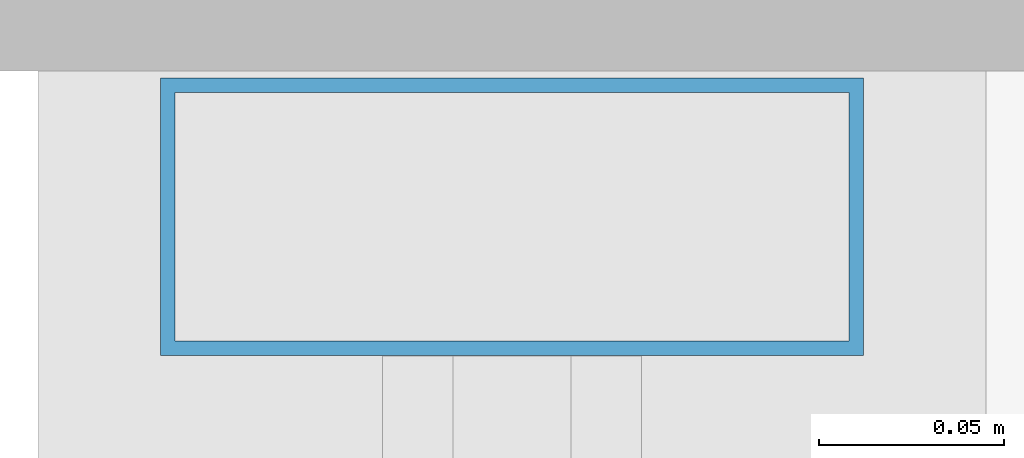
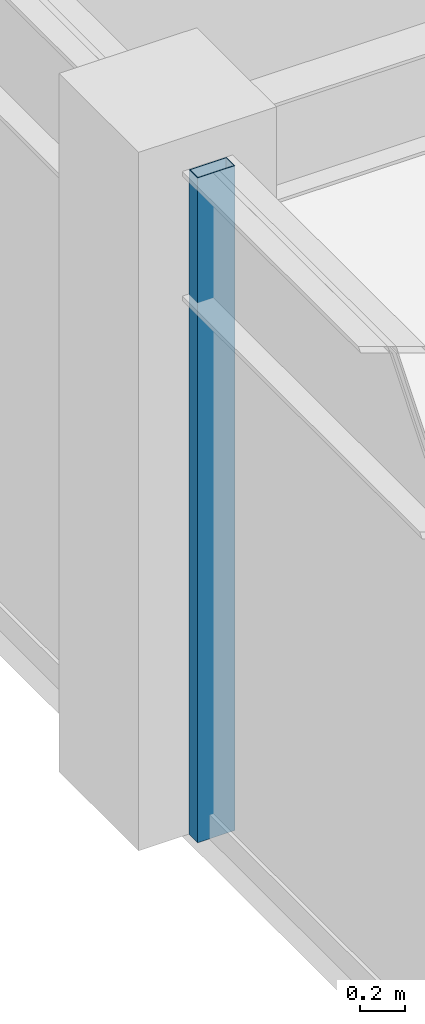
# One storey, part 8 of 31: 1 member, 1 element without a shape of its own.
"""IFC4 building model written with IfcOpenShell, lengths in metres."""

import ifcopenshell
import ifcopenshell.guid

model = None  # the IFC model being written
_history = None  # IfcOwnerHistory: only IFC2X3 demands one
_inside = {}  # id of a spatial element -> (the spatial element, [elements in it])
_under = {}  # id of a project, library or spatial element -> (it, [spatial elements below it])
_declared = {}  # id of a project -> (the project, [libraries it declares])
_typed = {}  # id of a type object -> (the type object, [elements of that type])
_made_of = {}  # id of a material, layer set ... -> (it, [elements and type objects made of it])


def new_model(schema):
    """Start an empty IFC model of exactly this schema.

    Asked for "IFC4X3", IfcOpenShell would pick the latest addendum, in which some entities
    have other attributes; the version numbers below select the first issue.
    IFC2X3 requires an IfcOwnerHistory on every rooted entity: one is made here for all.
    """
    global model, _history
    if schema == "IFC4X3":
        model = ifcopenshell.file(schema_version=(4, 3, 0, 0))
    else:
        model = ifcopenshell.file(schema=schema)
    _inside.clear()
    _under.clear()
    _declared.clear()
    _typed.clear()
    _made_of.clear()
    _history = None
    if model.schema == "IFC2X3":
        org = make("IfcOrganization", Name="unknown")
        user = make(
            "IfcPersonAndOrganization",
            ThePerson=make("IfcPerson", FamilyName="unknown"),
            TheOrganization=org,
        )
        app = make(
            "IfcApplication",
            ApplicationDeveloper=org,
            Version="unknown",
            ApplicationFullName="unknown",
            ApplicationIdentifier="unknown",
        )
        _history = make(
            "IfcOwnerHistory",
            OwningUser=user,
            OwningApplication=app,
            ChangeAction="ADDED",
            CreationDate=0,
        )
    return model


def make(cls, **values):
    """One entity of the class cls with the attributes given. An attribute that is None is left unset."""
    return model.create_entity(
        cls, **{name: value for name, value in values.items() if value is not None}
    )


def rooted(cls, **values):
    """An entity with a GlobalId (a new one), such as an element, a storey or a relation."""
    return make(cls, GlobalId=ifcopenshell.guid.new(), OwnerHistory=_history, **values)


def si_unit(unit_type, name, prefix=None):
    """IfcSIUnit, for example si_unit("LENGTHUNIT", "METRE", prefix="MILLI")."""
    return make("IfcSIUnit", UnitType=unit_type, Prefix=prefix, Name=name)


def assignment(units):
    """IfcUnitAssignment: the units of a project."""
    return None if units is None else make("IfcUnitAssignment", Units=units)


def point(xyz):
    """IfcCartesianPoint."""
    return None if xyz is None else make("IfcCartesianPoint", Coordinates=xyz)


def direction(xyz):
    """IfcDirection."""
    return None if xyz is None else make("IfcDirection", DirectionRatios=xyz)


def frame(location, z_axis=None, x_axis=None):
    """IfcAxis2Placement3D, a coordinate frame: its origin and axes. An axis left out is left unset."""
    return make(
        "IfcAxis2Placement3D",
        Location=point(location),
        Axis=direction(z_axis),
        RefDirection=direction(x_axis),
    )


def frame_2d(location, x_axis=None):
    """IfcAxis2Placement2D, a coordinate frame in the plane: its origin and x axis."""
    return make(
        "IfcAxis2Placement2D", Location=point(location), RefDirection=direction(x_axis)
    )


def origin():
    """The frame at (0, 0, 0) with its axes left unset."""
    return frame((0.0, 0.0, 0.0))


def origin_2d():
    """The frame at (0, 0) in the plane with its x axis left unset."""
    return frame_2d((0.0, 0.0))


def place(relative_to, where):
    """IfcLocalPlacement: puts the frame where relative to a parent placement (None: the world)."""
    return make(
        "IfcLocalPlacement", PlacementRelTo=relative_to, RelativePlacement=where
    )


def context(
    kind, dimensions, precision=None, world=None, true_north=None, identifier=None
):
    """IfcGeometricRepresentationContext, for example the 3D "Model" context."""
    return make(
        "IfcGeometricRepresentationContext",
        ContextIdentifier=identifier,
        ContextType=kind,
        CoordinateSpaceDimension=dimensions,
        Precision=precision,
        WorldCoordinateSystem=world,
        TrueNorth=true_north,
    )


def subcontext(parent, identifier, kind, view, scale=None):
    """IfcGeometricRepresentationSubContext, for example "Body" below "Model"."""
    return make(
        "IfcGeometricRepresentationSubContext",
        ContextIdentifier=identifier,
        ContextType=kind,
        ParentContext=parent,
        TargetScale=scale,
        TargetView=view,
    )


def project(units=None, contexts=None):
    """IfcProject with its units and contexts."""
    return rooted(
        "IfcProject",
        Name="project",
        RepresentationContexts=contexts,
        UnitsInContext=assignment(units),
    )


def spatial(cls, under=None, at=None, **own):
    """A site, building, storey or space (cls), placed at a placement, below another one or the project."""
    s = rooted(cls, ObjectPlacement=at, **own)
    if under is not None:
        _under.setdefault(under.id(), (under, []))[1].append(s)
    return s


def profile(cls, at=None, kind="AREA", **sizes):
    """A parametric profile (cls). Its sizes go by their IFC names, for example OverallWidth=200.0."""
    return make(cls, ProfileType=kind, Position=at, **sizes)


def hollow_rectangle(**sizes):
    """IfcRectangleHollowProfileDef."""
    return profile("IfcRectangleHollowProfileDef", **sizes)


def extrude(swept, where, along, depth):
    """IfcExtrudedAreaSolid: the profile swept, set in the frame where, extruded along a direction by depth."""
    return make(
        "IfcExtrudedAreaSolid",
        SweptArea=swept,
        Position=where,
        ExtrudedDirection=direction(along),
        Depth=depth,
    )


def shape(context_of_items, identifier, shape_type, items):
    """IfcShapeRepresentation: the items that make up one representation, for example the "Body"."""
    return make(
        "IfcShapeRepresentation",
        ContextOfItems=context_of_items,
        RepresentationIdentifier=identifier,
        RepresentationType=shape_type,
        Items=items,
    )


def material(Name=None, Category=None):
    """IfcMaterial."""
    return make("IfcMaterial", Name=Name, Category=Category)


def layer(
    of_material, thickness, ventilated=None, Name=None, Category=None, Priority=None
):
    """IfcMaterialLayer: one layer of a wall or slab, of a material (None: an air gap)."""
    return make(
        "IfcMaterialLayer",
        Material=of_material,
        LayerThickness=thickness,
        IsVentilated=ventilated,
        Name=Name,
        Category=Category,
        Priority=Priority,
    )


def layer_set(layers, Name=None):
    """IfcMaterialLayerSet."""
    return make("IfcMaterialLayerSet", MaterialLayers=layers, LayerSetName=Name)


def material_profile(
    of_material, cross_section, Name=None, Category=None, Priority=None
):
    """IfcMaterialProfile: a cross section and its material."""
    return make(
        "IfcMaterialProfile",
        Name=Name,
        Material=of_material,
        Profile=cross_section,
        Priority=Priority,
        Category=Category,
    )


def profile_set(profiles, Name=None, composite=None):
    """IfcMaterialProfileSet."""
    return make(
        "IfcMaterialProfileSet",
        Name=Name,
        MaterialProfiles=profiles,
        CompositeProfile=composite,
    )


def made_of(thing, what):
    """Note that an element or type object is made of a material, layer set ...; save() writes the relation."""
    if what is not None:
        _made_of.setdefault(what.id(), (what, []))[1].append(thing)
    return thing


def type_object(cls, material=None, **own):
    """A type object (cls), such as IfcWallType, which elements share."""
    return made_of(rooted(cls, **own), material)


def element(
    cls,
    number,
    at=None,
    inside=None,
    cuts=None,
    type_object=None,
    material=None,
    context=None,
    identifier="Body",
    shape_type=None,
    held_by="IfcProductDefinitionShape",
    body=None,
    shapes=None,
    **own,
):
    """One element of the class cls, such as IfcWall. Its Tag is "e" and its number.

    at: its placement. inside: the storey or other place that contains it. cuts: it is an
    opening in that element (IfcRelVoidsElement). A single representation is given by context,
    identifier, shape_type and body (its items); several are given by shapes. held_by: the class
    of the entity that holds the representations. save() writes the other relations.
    """
    e = rooted(cls, Tag="e%d" % number, ObjectPlacement=at, **own)
    if body is not None:
        shapes = [shape(context, identifier, shape_type, body)]
    if shapes is not None:
        e.Representation = make(held_by, Representations=shapes)
    if inside is not None:
        _inside.setdefault(inside.id(), (inside, []))[1].append(e)
    if cuts is not None:
        rooted(
            "IfcRelVoidsElement", RelatingBuildingElement=cuts, RelatedOpeningElement=e
        )
    if type_object is not None:
        _typed.setdefault(type_object.id(), (type_object, []))[1].append(e)
    return made_of(e, material)


def aggregate(whole, parts):
    """IfcRelAggregates: a whole, such as a stair, and the parts it consists of."""
    return rooted("IfcRelAggregates", RelatingObject=whole, RelatedObjects=parts)


def save(model, path):
    """Write the relations noted so far, then the file.

    IfcRelAggregates (storeys below a building ...), IfcRelContainedInSpatialStructure (elements
    in a storey), IfcRelDefinesByType, IfcRelAssociatesMaterial and IfcRelDeclares: one each for
    every whole, place, type object, material and project.
    """
    for whole, parts in _under.values():
        aggregate(whole, parts)
    for where, things in _inside.values():
        rooted(
            "IfcRelContainedInSpatialStructure",
            RelatedElements=things,
            RelatingStructure=where,
        )
    for kind, things in _typed.values():
        rooted("IfcRelDefinesByType", RelatedObjects=things, RelatingType=kind)
    for what, things in _made_of.values():
        rooted("IfcRelAssociatesMaterial", RelatedObjects=things, RelatingMaterial=what)
    for by, libraries in _declared.values():
        rooted("IfcRelDeclares", RelatingContext=by, RelatedDefinitions=libraries)
    model.write(path)


model = new_model("IFC4")

# Units and contexts
model_context = context("Model", 3, precision=1e-05, world=origin(), true_north=direction((0.0, 1.0)))
body_context = subcontext(model_context, "Body", "Model", "MODEL_VIEW")
ifc_project = project(units=[si_unit("LENGTHUNIT", "METRE"), si_unit("AREAUNIT", "SQUARE_METRE"), si_unit("VOLUMEUNIT", "CUBIC_METRE"), si_unit("PLANEANGLEUNIT", "RADIAN"), si_unit("MASSUNIT", "GRAM", prefix="KILO")], contexts=[model_context])

# Site, building, storey
site_placement = place(None, origin())
site = spatial("IfcSite", under=ifc_project, at=site_placement, CompositionType="ELEMENT")
building_placement = place(site_placement, origin())
building = spatial("IfcBuilding", under=site, at=building_placement, Name="Surkhivell Harbour Commons", CompositionType="ELEMENT")
storey_placement = place(building_placement, frame((0.0, 0.0, 288.75)))
storey = spatial("IfcBuildingStorey", under=building, at=storey_placement, Name="L75", CompositionType="ELEMENT", Elevation=288.75)

# Curtain wall, member
ifc_material_1 = material(Name="Anodised pale-metal aluminium and insulated glazing", Category="aluminium")
ifc_layer = layer(ifc_material_1, 0.175048828125)
ifc_layer_set = layer_set([ifc_layer], Name="Anodised pale-metal aluminium and insulated glazing")
curtain_wall_type = type_object("IfcCurtainWallType", Name="CW-SYS-Z4", PredefinedType="NOTDEFINED", material=ifc_layer_set)
curtain_wall_placement = place(storey_placement, origin())
curtain_wall = element("IfcCurtainWall", 1, at=curtain_wall_placement, inside=storey, type_object=curtain_wall_type, Name="L75 Curtain Wall CW-L75-E12S1", PredefinedType="NOTDEFINED")
ifc_material_2 = material(Name="Anodised pale-metal aluminium alloy 6063-T6", Category="aluminium")
ifc_material_profile = material_profile(ifc_material_2, hollow_rectangle(XDim=0.074951171875, YDim=0.18994140625, WallThickness=0.00390625, at=origin_2d()), Name="ALU-MULL-75x190")
ifc_profile_set = profile_set([ifc_material_profile], Name="Anodised pale-metal aluminium alloy 6063-T6")
member_type = type_object("IfcMemberType", Name="CWM-190", PredefinedType="MULLION", material=ifc_profile_set)
member_placement = place(storey_placement, frame((-27.0, -0.389404296875, 0.0), z_axis=(0.0, 0.0, 1.0), x_axis=(0.0, -1.0, 0.0)))
member = element("IfcMember", 2, at=member_placement, type_object=member_type, Name="CW-Z4 mullion 5", PredefinedType="MULLION", context=body_context, shape_type="SweptSolid", body=[
    extrude(hollow_rectangle(XDim=0.074951171875, YDim=0.18994140625, WallThickness=0.00390625, at=origin_2d()), origin(), (0.0, 0.0, 1.0), 3.570068359375),
])
aggregate(curtain_wall, [member])

save(model, "model.ifc")
